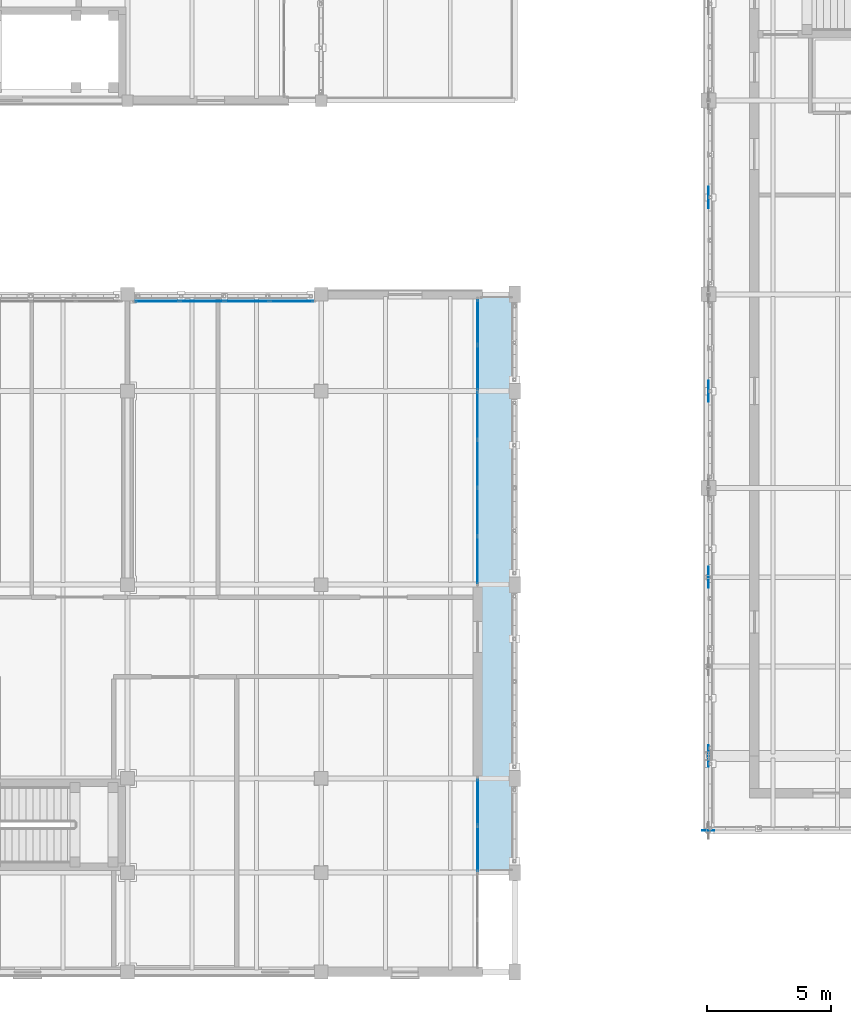
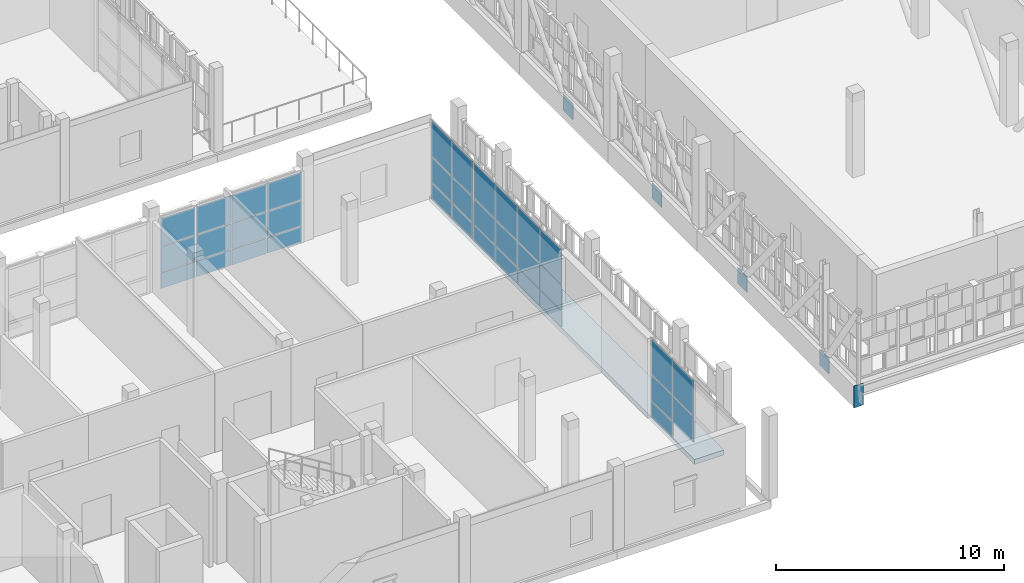
# One storey, part 67 of 119: 40 plates, 1 slab, 4 elements without a shape of their own.
"""IFC4 building model written with IfcOpenShell, lengths in metres."""

import ifcopenshell
import ifcopenshell.guid

model = None  # the IFC model being written
_history = None  # IfcOwnerHistory: only IFC2X3 demands one
_inside = {}  # id of a spatial element -> (the spatial element, [elements in it])
_under = {}  # id of a project, library or spatial element -> (it, [spatial elements below it])
_declared = {}  # id of a project -> (the project, [libraries it declares])
_typed = {}  # id of a type object -> (the type object, [elements of that type])
_made_of = {}  # id of a material, layer set ... -> (it, [elements and type objects made of it])


def new_model(schema):
    """Start an empty IFC model of exactly this schema.

    Asked for "IFC4X3", IfcOpenShell would pick the latest addendum, in which some entities
    have other attributes; the version numbers below select the first issue.
    IFC2X3 requires an IfcOwnerHistory on every rooted entity: one is made here for all.
    """
    global model, _history
    if schema == "IFC4X3":
        model = ifcopenshell.file(schema_version=(4, 3, 0, 0))
    else:
        model = ifcopenshell.file(schema=schema)
    _inside.clear()
    _under.clear()
    _declared.clear()
    _typed.clear()
    _made_of.clear()
    _history = None
    if model.schema == "IFC2X3":
        org = make("IfcOrganization", Name="unknown")
        user = make(
            "IfcPersonAndOrganization",
            ThePerson=make("IfcPerson", FamilyName="unknown"),
            TheOrganization=org,
        )
        app = make(
            "IfcApplication",
            ApplicationDeveloper=org,
            Version="unknown",
            ApplicationFullName="unknown",
            ApplicationIdentifier="unknown",
        )
        _history = make(
            "IfcOwnerHistory",
            OwningUser=user,
            OwningApplication=app,
            ChangeAction="ADDED",
            CreationDate=0,
        )
    return model


def make(cls, **values):
    """One entity of the class cls with the attributes given. An attribute that is None is left unset."""
    return model.create_entity(
        cls, **{name: value for name, value in values.items() if value is not None}
    )


def rooted(cls, **values):
    """An entity with a GlobalId (a new one), such as an element, a storey or a relation."""
    return make(cls, GlobalId=ifcopenshell.guid.new(), OwnerHistory=_history, **values)


def si_unit(unit_type, name, prefix=None):
    """IfcSIUnit, for example si_unit("LENGTHUNIT", "METRE", prefix="MILLI")."""
    return make("IfcSIUnit", UnitType=unit_type, Prefix=prefix, Name=name)


def assignment(units):
    """IfcUnitAssignment: the units of a project."""
    return None if units is None else make("IfcUnitAssignment", Units=units)


def point(xyz):
    """IfcCartesianPoint."""
    return None if xyz is None else make("IfcCartesianPoint", Coordinates=xyz)


def direction(xyz):
    """IfcDirection."""
    return None if xyz is None else make("IfcDirection", DirectionRatios=xyz)


def frame(location, z_axis=None, x_axis=None):
    """IfcAxis2Placement3D, a coordinate frame: its origin and axes. An axis left out is left unset."""
    return make(
        "IfcAxis2Placement3D",
        Location=point(location),
        Axis=direction(z_axis),
        RefDirection=direction(x_axis),
    )


def frame_2d(location, x_axis=None):
    """IfcAxis2Placement2D, a coordinate frame in the plane: its origin and x axis."""
    return make(
        "IfcAxis2Placement2D", Location=point(location), RefDirection=direction(x_axis)
    )


def origin():
    """The frame at (0, 0, 0) with its axes left unset."""
    return frame((0.0, 0.0, 0.0))


def origin_2d():
    """The frame at (0, 0) in the plane with its x axis left unset."""
    return frame_2d((0.0, 0.0))


def place(relative_to, where):
    """IfcLocalPlacement: puts the frame where relative to a parent placement (None: the world)."""
    return make(
        "IfcLocalPlacement", PlacementRelTo=relative_to, RelativePlacement=where
    )


def context(
    kind, dimensions, precision=None, world=None, true_north=None, identifier=None
):
    """IfcGeometricRepresentationContext, for example the 3D "Model" context."""
    return make(
        "IfcGeometricRepresentationContext",
        ContextIdentifier=identifier,
        ContextType=kind,
        CoordinateSpaceDimension=dimensions,
        Precision=precision,
        WorldCoordinateSystem=world,
        TrueNorth=true_north,
    )


def subcontext(parent, identifier, kind, view, scale=None):
    """IfcGeometricRepresentationSubContext, for example "Body" below "Model"."""
    return make(
        "IfcGeometricRepresentationSubContext",
        ContextIdentifier=identifier,
        ContextType=kind,
        ParentContext=parent,
        TargetScale=scale,
        TargetView=view,
    )


def project(units=None, contexts=None):
    """IfcProject with its units and contexts."""
    return rooted(
        "IfcProject",
        Name="project",
        RepresentationContexts=contexts,
        UnitsInContext=assignment(units),
    )


def spatial(cls, under=None, at=None, **own):
    """A site, building, storey or space (cls), placed at a placement, below another one or the project."""
    s = rooted(cls, ObjectPlacement=at, **own)
    if under is not None:
        _under.setdefault(under.id(), (under, []))[1].append(s)
    return s


def polyline(points):
    """IfcPolyline through the points."""
    return make("IfcPolyline", Points=[point(p) for p in points])


def profile(cls, at=None, kind="AREA", **sizes):
    """A parametric profile (cls). Its sizes go by their IFC names, for example OverallWidth=200.0."""
    return make(cls, ProfileType=kind, Position=at, **sizes)


def rectangle(**sizes):
    """IfcRectangleProfileDef."""
    return profile("IfcRectangleProfileDef", **sizes)


def outline(outer, holes=None, kind="AREA"):
    """IfcArbitraryClosedProfileDef: a profile drawn as a closed curve; with holes, ...WithVoids."""
    if holes is None:
        return make("IfcArbitraryClosedProfileDef", ProfileType=kind, OuterCurve=outer)
    return make(
        "IfcArbitraryProfileDefWithVoids",
        ProfileType=kind,
        OuterCurve=outer,
        InnerCurves=holes,
    )


def extrude(swept, where, along, depth):
    """IfcExtrudedAreaSolid: the profile swept, set in the frame where, extruded along a direction by depth."""
    return make(
        "IfcExtrudedAreaSolid",
        SweptArea=swept,
        Position=where,
        ExtrudedDirection=direction(along),
        Depth=depth,
    )


def shape(context_of_items, identifier, shape_type, items):
    """IfcShapeRepresentation: the items that make up one representation, for example the "Body"."""
    return make(
        "IfcShapeRepresentation",
        ContextOfItems=context_of_items,
        RepresentationIdentifier=identifier,
        RepresentationType=shape_type,
        Items=items,
    )


def material(Name=None, Category=None):
    """IfcMaterial."""
    return make("IfcMaterial", Name=Name, Category=Category)


def layer(
    of_material, thickness, ventilated=None, Name=None, Category=None, Priority=None
):
    """IfcMaterialLayer: one layer of a wall or slab, of a material (None: an air gap)."""
    return make(
        "IfcMaterialLayer",
        Material=of_material,
        LayerThickness=thickness,
        IsVentilated=ventilated,
        Name=Name,
        Category=Category,
        Priority=Priority,
    )


def layer_set(layers, Name=None):
    """IfcMaterialLayerSet."""
    return make("IfcMaterialLayerSet", MaterialLayers=layers, LayerSetName=Name)


def made_of(thing, what):
    """Note that an element or type object is made of a material, layer set ...; save() writes the relation."""
    if what is not None:
        _made_of.setdefault(what.id(), (what, []))[1].append(thing)
    return thing


def type_object(cls, material=None, **own):
    """A type object (cls), such as IfcWallType, which elements share."""
    return made_of(rooted(cls, **own), material)


def element(
    cls,
    number,
    at=None,
    inside=None,
    cuts=None,
    type_object=None,
    material=None,
    context=None,
    identifier="Body",
    shape_type=None,
    held_by="IfcProductDefinitionShape",
    body=None,
    shapes=None,
    **own,
):
    """One element of the class cls, such as IfcWall. Its Tag is "e" and its number.

    at: its placement. inside: the storey or other place that contains it. cuts: it is an
    opening in that element (IfcRelVoidsElement). A single representation is given by context,
    identifier, shape_type and body (its items); several are given by shapes. held_by: the class
    of the entity that holds the representations. save() writes the other relations.
    """
    e = rooted(cls, Tag="e%d" % number, ObjectPlacement=at, **own)
    if body is not None:
        shapes = [shape(context, identifier, shape_type, body)]
    if shapes is not None:
        e.Representation = make(held_by, Representations=shapes)
    if inside is not None:
        _inside.setdefault(inside.id(), (inside, []))[1].append(e)
    if cuts is not None:
        rooted(
            "IfcRelVoidsElement", RelatingBuildingElement=cuts, RelatedOpeningElement=e
        )
    if type_object is not None:
        _typed.setdefault(type_object.id(), (type_object, []))[1].append(e)
    return made_of(e, material)


def aggregate(whole, parts):
    """IfcRelAggregates: a whole, such as a stair, and the parts it consists of."""
    return rooted("IfcRelAggregates", RelatingObject=whole, RelatedObjects=parts)


def save(model, path):
    """Write the relations noted so far, then the file.

    IfcRelAggregates (storeys below a building ...), IfcRelContainedInSpatialStructure (elements
    in a storey), IfcRelDefinesByType, IfcRelAssociatesMaterial and IfcRelDeclares: one each for
    every whole, place, type object, material and project.
    """
    for whole, parts in _under.values():
        aggregate(whole, parts)
    for where, things in _inside.values():
        rooted(
            "IfcRelContainedInSpatialStructure",
            RelatedElements=things,
            RelatingStructure=where,
        )
    for kind, things in _typed.values():
        rooted("IfcRelDefinesByType", RelatedObjects=things, RelatingType=kind)
    for what, things in _made_of.values():
        rooted("IfcRelAssociatesMaterial", RelatedObjects=things, RelatingMaterial=what)
    for by, libraries in _declared.values():
        rooted("IfcRelDeclares", RelatingContext=by, RelatedDefinitions=libraries)
    model.write(path)


model = new_model("IFC4")

# Units and contexts
model_context = context("Model", 3, precision=1e-05, world=origin(), true_north=direction((0.0, 1.0)))
body_context = subcontext(model_context, "Body", "Model", "MODEL_VIEW")
ifc_project = project(units=[si_unit("LENGTHUNIT", "METRE"), si_unit("AREAUNIT", "SQUARE_METRE"), si_unit("VOLUMEUNIT", "CUBIC_METRE"), si_unit("PLANEANGLEUNIT", "RADIAN"), si_unit("MASSUNIT", "GRAM", prefix="KILO")], contexts=[model_context])

# Site, building, storey
site_placement = place(None, origin())
site = spatial("IfcSite", under=ifc_project, at=site_placement, CompositionType="ELEMENT")
building_placement = place(site_placement, origin())
building = spatial("IfcBuilding", under=site, at=building_placement, Name="Celorna Specialist Clinic", CompositionType="ELEMENT")
storey_placement = place(building_placement, frame((0.0, 0.0, 9.60009765625)))
storey = spatial("IfcBuildingStorey", under=building, at=storey_placement, Name="L02", CompositionType="ELEMENT", Elevation=9.60009765625)

# Curtain wall, plates
ifc_material_1 = material(Name="Thermally broken aluminium and solar-control glass curtain wall", Category="aluminium")
ifc_layer_1 = layer(ifc_material_1, 0.159912109375, Name="Thermally broken aluminium and solar-control glass curtain wall")
ifc_layer_set_1 = layer_set([ifc_layer_1], Name="Thermally broken aluminium and solar-control glass curtain wall")
curtain_wall_type_1 = type_object("IfcCurtainWallType", Name="CW-68", PredefinedType="NOTDEFINED", material=ifc_layer_set_1)
curtain_wall_1_placement = place(storey_placement, origin())
curtain_wall_1 = element("IfcCurtainWall", 1, at=curtain_wall_1_placement, inside=storey, type_object=curtain_wall_type_1, Name="Curtain wall CW-68 #168", PredefinedType="NOTDEFINED")
ifc_material_2 = material(Name="Low-e double glazing", Category="glass")
ifc_layer_2 = layer(ifc_material_2, 0.028076171875, Name="Low-e double glazing")
ifc_layer_set_2 = layer_set([ifc_layer_2], Name="Low-e double glazing")
plate_type_1 = type_object("IfcPlateType", Name="CPN-01", PredefinedType="CURTAIN_PANEL", material=ifc_layer_set_2)
plate_1_placement = place(storey_placement, frame((45.300048828125, 22.409423828125, 0.0498046875), z_axis=(0.0, 0.0, 1.0), x_axis=(0.0, -1.0, 0.0)))
plate_1 = element("IfcPlate", 2, at=plate_1_placement, type_object=plate_type_1, Name="CW-68 panel 1.1", PredefinedType="CURTAIN_PANEL", context=body_context, shape_type="SweptSolid", body=[
    extrude(rectangle(XDim=1.873046875, YDim=0.028076171875, at=origin_2d()), origin(), (0.0, 0.0, 1.0), 0.824951171875),
])
plate_2_placement = place(storey_placement, frame((45.300048828125, 22.409423828125, 0.9248046875), z_axis=(0.0, 0.0, 1.0), x_axis=(0.0, -1.0, 0.0)))
plate_2 = element("IfcPlate", 3, at=plate_2_placement, type_object=plate_type_1, Name="CW-68 panel 1.2", PredefinedType="CURTAIN_PANEL", context=body_context, shape_type="SweptSolid", body=[
    extrude(rectangle(XDim=1.873046875, YDim=0.028076171875, at=origin_2d()), origin(), (0.0, 0.0, 1.0), 1.35009765625),
])
plate_3_placement = place(storey_placement, frame((45.300048828125, 22.409423828125, 2.32470703125), z_axis=(0.0, 0.0, 1.0), x_axis=(0.0, -1.0, 0.0)))
plate_3 = element("IfcPlate", 4, at=plate_3_placement, type_object=plate_type_1, Name="CW-68 panel 1.3", PredefinedType="CURTAIN_PANEL", context=body_context, shape_type="SweptSolid", body=[
    extrude(rectangle(XDim=1.873046875, YDim=0.028076171875, at=origin_2d()), origin(), (0.0, 0.0, 1.0), 1.864990234375),
])
plate_4_placement = place(storey_placement, frame((45.300048828125, 20.47412109375, 0.0498046875), z_axis=(0.0, 0.0, 1.0), x_axis=(0.0, -1.0, 0.0)))
plate_4 = element("IfcPlate", 5, at=plate_4_placement, type_object=plate_type_1, Name="CW-68 panel 2.1", PredefinedType="CURTAIN_PANEL", context=body_context, shape_type="SweptSolid", body=[
    extrude(rectangle(XDim=1.89794921875, YDim=0.028076171875, at=origin_2d()), origin(), (0.0, 0.0, 1.0), 0.824951171875),
])
plate_5_placement = place(storey_placement, frame((45.300048828125, 20.47412109375, 0.9248046875), z_axis=(0.0, 0.0, 1.0), x_axis=(0.0, -1.0, 0.0)))
plate_5 = element("IfcPlate", 6, at=plate_5_placement, type_object=plate_type_1, Name="CW-68 panel 2.2", PredefinedType="CURTAIN_PANEL", context=body_context, shape_type="SweptSolid", body=[
    extrude(rectangle(XDim=1.89794921875, YDim=0.028076171875, at=origin_2d()), origin(), (0.0, 0.0, 1.0), 1.35009765625),
])
plate_6_placement = place(storey_placement, frame((45.300048828125, 20.47412109375, 2.32470703125), z_axis=(0.0, 0.0, 1.0), x_axis=(0.0, -1.0, 0.0)))
plate_6 = element("IfcPlate", 7, at=plate_6_placement, type_object=plate_type_1, Name="CW-68 panel 2.3", PredefinedType="CURTAIN_PANEL", context=body_context, shape_type="SweptSolid", body=[
    extrude(rectangle(XDim=1.89794921875, YDim=0.028076171875, at=origin_2d()), origin(), (0.0, 0.0, 1.0), 1.864990234375),
])
plate_7_placement = place(storey_placement, frame((45.300048828125, 18.52587890625, 0.0498046875), z_axis=(0.0, 0.0, 1.0), x_axis=(0.0, -1.0, 0.0)))
plate_7 = element("IfcPlate", 8, at=plate_7_placement, type_object=plate_type_1, Name="CW-68 panel 3.1", PredefinedType="CURTAIN_PANEL", context=body_context, shape_type="SweptSolid", body=[
    extrude(rectangle(XDim=1.89794921875, YDim=0.028076171875, at=origin_2d()), origin(), (0.0, 0.0, 1.0), 0.824951171875),
])
plate_8_placement = place(storey_placement, frame((45.300048828125, 18.52587890625, 0.9248046875), z_axis=(0.0, 0.0, 1.0), x_axis=(0.0, -1.0, 0.0)))
plate_8 = element("IfcPlate", 9, at=plate_8_placement, type_object=plate_type_1, Name="CW-68 panel 3.2", PredefinedType="CURTAIN_PANEL", context=body_context, shape_type="SweptSolid", body=[
    extrude(rectangle(XDim=1.89794921875, YDim=0.028076171875, at=origin_2d()), origin(), (0.0, 0.0, 1.0), 1.35009765625),
])
plate_9_placement = place(storey_placement, frame((45.300048828125, 18.52587890625, 2.32470703125), z_axis=(0.0, 0.0, 1.0), x_axis=(0.0, -1.0, 0.0)))
plate_9 = element("IfcPlate", 10, at=plate_9_placement, type_object=plate_type_1, Name="CW-68 panel 3.3", PredefinedType="CURTAIN_PANEL", context=body_context, shape_type="SweptSolid", body=[
    extrude(rectangle(XDim=1.89794921875, YDim=0.028076171875, at=origin_2d()), origin(), (0.0, 0.0, 1.0), 1.864990234375),
])
plate_10_placement = place(storey_placement, frame((45.300048828125, 16.590576171875, 0.0498046875), z_axis=(0.0, 0.0, 1.0), x_axis=(0.0, -1.0, 0.0)))
plate_10 = element("IfcPlate", 11, at=plate_10_placement, type_object=plate_type_1, Name="CW-68 panel 4.1", PredefinedType="CURTAIN_PANEL", context=body_context, shape_type="SweptSolid", body=[
    extrude(rectangle(XDim=1.873046875, YDim=0.028076171875, at=origin_2d()), origin(), (0.0, 0.0, 1.0), 0.824951171875),
])
plate_11_placement = place(storey_placement, frame((45.300048828125, 16.590576171875, 0.9248046875), z_axis=(0.0, 0.0, 1.0), x_axis=(0.0, -1.0, 0.0)))
plate_11 = element("IfcPlate", 12, at=plate_11_placement, type_object=plate_type_1, Name="CW-68 panel 4.2", PredefinedType="CURTAIN_PANEL", context=body_context, shape_type="SweptSolid", body=[
    extrude(rectangle(XDim=1.873046875, YDim=0.028076171875, at=origin_2d()), origin(), (0.0, 0.0, 1.0), 1.35009765625),
])
plate_12_placement = place(storey_placement, frame((45.300048828125, 16.590576171875, 2.32470703125), z_axis=(0.0, 0.0, 1.0), x_axis=(0.0, -1.0, 0.0)))
plate_12 = element("IfcPlate", 13, at=plate_12_placement, type_object=plate_type_1, Name="CW-68 panel 4.3", PredefinedType="CURTAIN_PANEL", context=body_context, shape_type="SweptSolid", body=[
    extrude(rectangle(XDim=1.873046875, YDim=0.028076171875, at=origin_2d()), origin(), (0.0, 0.0, 1.0), 1.864990234375),
])
aggregate(curtain_wall_1, [plate_1, plate_2, plate_3, plate_4, plate_5, plate_6, plate_7, plate_8, plate_9, plate_10, plate_11, plate_12])

ifc_layer_3 = layer(ifc_material_1, 0.159912109375, Name="Thermally broken aluminium and solar-control glass curtain wall")
ifc_layer_set_3 = layer_set([ifc_layer_3], Name="Thermally broken aluminium and solar-control glass curtain wall")
curtain_wall_type_2 = type_object("IfcCurtainWallType", Name="CW-88", PredefinedType="NOTDEFINED", material=ifc_layer_set_3)
curtain_wall_2_placement = place(storey_placement, origin())
curtain_wall_2 = element("IfcCurtainWall", 14, at=curtain_wall_2_placement, inside=storey, type_object=curtain_wall_type_2, Name="Curtain wall CW-88 #165", PredefinedType="NOTDEFINED")
ifc_material_3 = material(Name="Solar-control triple glazing", Category="glass")
ifc_layer_4 = layer(ifc_material_3, 0.035888671875, Name="Solar-control triple glazing")
ifc_layer_set_4 = layer_set([ifc_layer_4], Name="Solar-control triple glazing")
plate_type_2 = type_object("IfcPlateType", Name="CPN-02", PredefinedType="CURTAIN_PANEL", material=ifc_layer_set_4)
plate_13_placement = place(storey_placement, frame((32.396728515625, 27.02001953125, 0.0498046875), z_axis=(0.0, 0.0, 1.0), x_axis=(1.0, 0.0, 0.0)))
plate_13 = element("IfcPlate", 15, at=plate_13_placement, type_object=plate_type_2, Name="CW-88 panel 1.1", PredefinedType="CURTAIN_PANEL", context=body_context, shape_type="SweptSolid", body=[
    extrude(rectangle(XDim=1.735595703125, YDim=0.035888671875, at=origin_2d()), origin(), (0.0, 0.0, 1.0), 0.824951171875),
])
plate_14_placement = place(storey_placement, frame((32.396728515625, 27.02001953125, 0.9248046875), z_axis=(0.0, 0.0, 1.0), x_axis=(1.0, 0.0, 0.0)))
plate_14 = element("IfcPlate", 16, at=plate_14_placement, type_object=plate_type_2, Name="CW-88 panel 1.2", PredefinedType="CURTAIN_PANEL", context=body_context, shape_type="SweptSolid", body=[
    extrude(rectangle(XDim=1.735595703125, YDim=0.035888671875, at=origin_2d()), origin(), (0.0, 0.0, 1.0), 1.35009765625),
])
plate_15_placement = place(storey_placement, frame((32.396728515625, 27.02001953125, 2.32470703125), z_axis=(0.0, 0.0, 1.0), x_axis=(1.0, 0.0, 0.0)))
plate_15 = element("IfcPlate", 17, at=plate_15_placement, type_object=plate_type_2, Name="CW-88 panel 1.3", PredefinedType="CURTAIN_PANEL", context=body_context, shape_type="SweptSolid", body=[
    extrude(rectangle(XDim=1.735595703125, YDim=0.035888671875, at=origin_2d()), origin(), (0.0, 0.0, 1.0), 1.465087890625),
])
plate_16_placement = place(storey_placement, frame((34.19482421875, 27.02001953125, 0.0498046875), z_axis=(0.0, 0.0, 1.0), x_axis=(1.0, 0.0, 0.0)))
plate_16 = element("IfcPlate", 18, at=plate_16_placement, type_object=plate_type_2, Name="CW-88 panel 2.1", PredefinedType="CURTAIN_PANEL", context=body_context, shape_type="SweptSolid", body=[
    extrude(rectangle(XDim=1.760498046875, YDim=0.035888671875, at=origin_2d()), origin(), (0.0, 0.0, 1.0), 0.824951171875),
])
plate_17_placement = place(storey_placement, frame((34.19482421875, 27.02001953125, 0.9248046875), z_axis=(0.0, 0.0, 1.0), x_axis=(1.0, 0.0, 0.0)))
plate_17 = element("IfcPlate", 19, at=plate_17_placement, type_object=plate_type_2, Name="CW-88 panel 2.2", PredefinedType="CURTAIN_PANEL", context=body_context, shape_type="SweptSolid", body=[
    extrude(rectangle(XDim=1.760498046875, YDim=0.035888671875, at=origin_2d()), origin(), (0.0, 0.0, 1.0), 1.35009765625),
])
plate_18_placement = place(storey_placement, frame((34.19482421875, 27.02001953125, 2.32470703125), z_axis=(0.0, 0.0, 1.0), x_axis=(1.0, 0.0, 0.0)))
plate_18 = element("IfcPlate", 20, at=plate_18_placement, type_object=plate_type_2, Name="CW-88 panel 2.3", PredefinedType="CURTAIN_PANEL", context=body_context, shape_type="SweptSolid", body=[
    extrude(rectangle(XDim=1.760498046875, YDim=0.035888671875, at=origin_2d()), origin(), (0.0, 0.0, 1.0), 1.465087890625),
])
plate_19_placement = place(storey_placement, frame((36.00537109375, 27.02001953125, 0.0498046875), z_axis=(0.0, 0.0, 1.0), x_axis=(1.0, 0.0, 0.0)))
plate_19 = element("IfcPlate", 21, at=plate_19_placement, type_object=plate_type_2, Name="CW-88 panel 3.1", PredefinedType="CURTAIN_PANEL", context=body_context, shape_type="SweptSolid", body=[
    extrude(rectangle(XDim=1.760498046875, YDim=0.035888671875, at=origin_2d()), origin(), (0.0, 0.0, 1.0), 0.824951171875),
])
plate_20_placement = place(storey_placement, frame((36.00537109375, 27.02001953125, 0.9248046875), z_axis=(0.0, 0.0, 1.0), x_axis=(1.0, 0.0, 0.0)))
plate_20 = element("IfcPlate", 22, at=plate_20_placement, type_object=plate_type_2, Name="CW-88 panel 3.2", PredefinedType="CURTAIN_PANEL", context=body_context, shape_type="SweptSolid", body=[
    extrude(rectangle(XDim=1.760498046875, YDim=0.035888671875, at=origin_2d()), origin(), (0.0, 0.0, 1.0), 1.35009765625),
])
plate_21_placement = place(storey_placement, frame((36.00537109375, 27.02001953125, 2.32470703125), z_axis=(0.0, 0.0, 1.0), x_axis=(1.0, 0.0, 0.0)))
plate_21 = element("IfcPlate", 23, at=plate_21_placement, type_object=plate_type_2, Name="CW-88 panel 3.3", PredefinedType="CURTAIN_PANEL", context=body_context, shape_type="SweptSolid", body=[
    extrude(rectangle(XDim=1.760498046875, YDim=0.035888671875, at=origin_2d()), origin(), (0.0, 0.0, 1.0), 1.465087890625),
])
plate_22_placement = place(storey_placement, frame((37.80322265625, 27.02001953125, 0.0498046875), z_axis=(0.0, 0.0, 1.0), x_axis=(1.0, 0.0, 0.0)))
plate_22 = element("IfcPlate", 24, at=plate_22_placement, type_object=plate_type_2, Name="CW-88 panel 4.1", PredefinedType="CURTAIN_PANEL", context=body_context, shape_type="SweptSolid", body=[
    extrude(rectangle(XDim=1.735595703125, YDim=0.035888671875, at=origin_2d()), origin(), (0.0, 0.0, 1.0), 0.824951171875),
])
plate_23_placement = place(storey_placement, frame((37.80322265625, 27.02001953125, 0.9248046875), z_axis=(0.0, 0.0, 1.0), x_axis=(1.0, 0.0, 0.0)))
plate_23 = element("IfcPlate", 25, at=plate_23_placement, type_object=plate_type_2, Name="CW-88 panel 4.2", PredefinedType="CURTAIN_PANEL", context=body_context, shape_type="SweptSolid", body=[
    extrude(rectangle(XDim=1.735595703125, YDim=0.035888671875, at=origin_2d()), origin(), (0.0, 0.0, 1.0), 1.35009765625),
])
plate_24_placement = place(storey_placement, frame((37.80322265625, 27.02001953125, 2.32470703125), z_axis=(0.0, 0.0, 1.0), x_axis=(1.0, 0.0, 0.0)))
plate_24 = element("IfcPlate", 26, at=plate_24_placement, type_object=plate_type_2, Name="CW-88 panel 4.3", PredefinedType="CURTAIN_PANEL", context=body_context, shape_type="SweptSolid", body=[
    extrude(rectangle(XDim=1.735595703125, YDim=0.035888671875, at=origin_2d()), origin(), (0.0, 0.0, 1.0), 1.465087890625),
])
aggregate(curtain_wall_2, [plate_13, plate_14, plate_15, plate_16, plate_17, plate_18, plate_19, plate_20, plate_21, plate_22, plate_23, plate_24])

ifc_layer_5 = layer(ifc_material_1, 0.159912109375, Name="Thermally broken aluminium and solar-control glass curtain wall")
ifc_layer_set_5 = layer_set([ifc_layer_5], Name="Thermally broken aluminium and solar-control glass curtain wall")
curtain_wall_type_3 = type_object("IfcCurtainWallType", Name="CW-92", PredefinedType="NOTDEFINED", material=ifc_layer_set_5)
curtain_wall_3_placement = place(storey_placement, origin())
curtain_wall_3 = element("IfcCurtainWall", 27, at=curtain_wall_3_placement, inside=storey, type_object=curtain_wall_type_3, Name="Curtain wall CW-92 #167", PredefinedType="NOTDEFINED")
plate_25_placement = place(storey_placement, frame((45.300048828125, 6.83544921875, 0.0498046875), z_axis=(0.0, 0.0, 1.0), x_axis=(0.0, -1.0, 0.0)))
plate_25 = element("IfcPlate", 28, at=plate_25_placement, type_object=plate_type_2, Name="CW-92 panel 1.1", PredefinedType="CURTAIN_PANEL", context=body_context, shape_type="SweptSolid", body=[
    extrude(rectangle(XDim=1.821044921875, YDim=0.035888671875, at=origin_2d()), origin(), (0.0, 0.0, 1.0), 0.824951171875),
])
plate_26_placement = place(storey_placement, frame((45.300048828125, 6.83544921875, 0.9248046875), z_axis=(0.0, 0.0, 1.0), x_axis=(0.0, -1.0, 0.0)))
plate_26 = element("IfcPlate", 29, at=plate_26_placement, type_object=plate_type_2, Name="CW-92 panel 1.2", PredefinedType="CURTAIN_PANEL", context=body_context, shape_type="SweptSolid", body=[
    extrude(rectangle(XDim=1.821044921875, YDim=0.035888671875, at=origin_2d()), origin(), (0.0, 0.0, 1.0), 1.35009765625),
])
plate_27_placement = place(storey_placement, frame((45.300048828125, 6.83544921875, 2.32470703125), z_axis=(0.0, 0.0, 1.0), x_axis=(0.0, -1.0, 0.0)))
plate_27 = element("IfcPlate", 30, at=plate_27_placement, type_object=plate_type_2, Name="CW-92 panel 1.3", PredefinedType="CURTAIN_PANEL", context=body_context, shape_type="SweptSolid", body=[
    extrude(rectangle(XDim=1.821044921875, YDim=0.035888671875, at=origin_2d()), origin(), (0.0, 0.0, 1.0), 1.864990234375),
])
plate_28_placement = place(storey_placement, frame((45.300048828125, 4.964599609375, 0.9248046875), z_axis=(0.0, 0.0, 1.0), x_axis=(0.0, -1.0, 0.0)))
plate_28 = element("IfcPlate", 31, at=plate_28_placement, type_object=plate_type_2, Name="CW-92 panel 2.2", PredefinedType="CURTAIN_PANEL", context=body_context, shape_type="SweptSolid", body=[
    extrude(rectangle(XDim=1.821044921875, YDim=0.035888671875, at=origin_2d()), origin(), (0.0, 0.0, 1.0), 1.35009765625),
])
plate_29_placement = place(storey_placement, frame((45.300048828125, 4.964599609375, 2.32470703125), z_axis=(0.0, 0.0, 1.0), x_axis=(0.0, -1.0, 0.0)))
plate_29 = element("IfcPlate", 32, at=plate_29_placement, type_object=plate_type_2, Name="CW-92 panel 2.3", PredefinedType="CURTAIN_PANEL", context=body_context, shape_type="SweptSolid", body=[
    extrude(rectangle(XDim=1.821044921875, YDim=0.035888671875, at=origin_2d()), origin(), (0.0, 0.0, 1.0), 1.864990234375),
])
aggregate(curtain_wall_3, [plate_25, plate_26, plate_27, plate_28, plate_29])

ifc_layer_6 = layer(ifc_material_1, 0.159912109375, Name="Thermally broken aluminium and solar-control glass curtain wall")
ifc_layer_set_6 = layer_set([ifc_layer_6], Name="Thermally broken aluminium and solar-control glass curtain wall")
curtain_wall_type_4 = type_object("IfcCurtainWallType", Name="CW-93", PredefinedType="NOTDEFINED", material=ifc_layer_set_6)
curtain_wall_4_placement = place(storey_placement, origin())
curtain_wall_4 = element("IfcCurtainWall", 33, at=curtain_wall_4_placement, inside=storey, type_object=curtain_wall_type_4, Name="Curtain wall CW-93 #169", PredefinedType="NOTDEFINED")
plate_30_placement = place(storey_placement, frame((45.300048828125, 26.16796875, 0.0498046875), z_axis=(0.0, 0.0, 1.0), x_axis=(0.0, -1.0, 0.0)))
plate_30 = element("IfcPlate", 34, at=plate_30_placement, type_object=plate_type_2, Name="CW-93 panel 1.1", PredefinedType="CURTAIN_PANEL", context=body_context, shape_type="SweptSolid", body=[
    extrude(rectangle(XDim=1.77587890625, YDim=0.035888671875, at=origin_2d()), origin(), (0.0, 0.0, 1.0), 0.824951171875),
])
plate_31_placement = place(storey_placement, frame((45.300048828125, 26.16796875, 0.9248046875), z_axis=(0.0, 0.0, 1.0), x_axis=(0.0, -1.0, 0.0)))
plate_31 = element("IfcPlate", 35, at=plate_31_placement, type_object=plate_type_2, Name="CW-93 panel 1.2", PredefinedType="CURTAIN_PANEL", context=body_context, shape_type="SweptSolid", body=[
    extrude(rectangle(XDim=1.77587890625, YDim=0.035888671875, at=origin_2d()), origin(), (0.0, 0.0, 1.0), 1.35009765625),
])
plate_32_placement = place(storey_placement, frame((45.300048828125, 26.16796875, 2.32470703125), z_axis=(0.0, 0.0, 1.0), x_axis=(0.0, -1.0, 0.0)))
plate_32 = element("IfcPlate", 36, at=plate_32_placement, type_object=plate_type_2, Name="CW-93 panel 1.3", PredefinedType="CURTAIN_PANEL", context=body_context, shape_type="SweptSolid", body=[
    extrude(rectangle(XDim=1.77587890625, YDim=0.035888671875, at=origin_2d()), origin(), (0.0, 0.0, 1.0), 1.864990234375),
])
plate_33_placement = place(storey_placement, frame((45.300048828125, 24.342041015625, 0.0498046875), z_axis=(0.0, 0.0, 1.0), x_axis=(0.0, -1.0, 0.0)))
plate_33 = element("IfcPlate", 37, at=plate_33_placement, type_object=plate_type_2, Name="CW-93 panel 2.1", PredefinedType="CURTAIN_PANEL", context=body_context, shape_type="SweptSolid", body=[
    extrude(rectangle(XDim=1.77587890625, YDim=0.035888671875, at=origin_2d()), origin(), (0.0, 0.0, 1.0), 0.824951171875),
])
plate_34_placement = place(storey_placement, frame((45.300048828125, 24.342041015625, 0.9248046875), z_axis=(0.0, 0.0, 1.0), x_axis=(0.0, -1.0, 0.0)))
plate_34 = element("IfcPlate", 38, at=plate_34_placement, type_object=plate_type_2, Name="CW-93 panel 2.2", PredefinedType="CURTAIN_PANEL", context=body_context, shape_type="SweptSolid", body=[
    extrude(rectangle(XDim=1.77587890625, YDim=0.035888671875, at=origin_2d()), origin(), (0.0, 0.0, 1.0), 1.35009765625),
])
plate_35_placement = place(storey_placement, frame((45.300048828125, 24.342041015625, 2.32470703125), z_axis=(0.0, 0.0, 1.0), x_axis=(0.0, -1.0, 0.0)))
plate_35 = element("IfcPlate", 39, at=plate_35_placement, type_object=plate_type_2, Name="CW-93 panel 2.3", PredefinedType="CURTAIN_PANEL", context=body_context, shape_type="SweptSolid", body=[
    extrude(rectangle(XDim=1.77587890625, YDim=0.035888671875, at=origin_2d()), origin(), (0.0, 0.0, 1.0), 1.864990234375),
])
aggregate(curtain_wall_4, [plate_30, plate_31, plate_32, plate_33, plate_34, plate_35])

# Plates
ifc_material_4 = material(Name="Steel S355", Category="steel")
ifc_layer_7 = layer(ifc_material_4, 0.02490234375, Name="Steel S355")
ifc_layer_set_7 = layer_set([ifc_layer_7], Name="Steel S355")
plate_type_3 = type_object("IfcPlateType", Name="EP-01", PredefinedType="SHEET", material=ifc_layer_set_7)
plate_36_placement = place(storey_placement, frame((54.60009765625, 5.699951171875, -1.42529296875), z_axis=(0.0, 0.0, 1.0), x_axis=(1.0, 0.0, 0.0)))
element("IfcPlate", 40, at=plate_36_placement, inside=storey, type_object=plate_type_3, Name="Truss chord end cap plate EP-01 #1", PredefinedType="SHEET", context=body_context, shape_type="SweptSolid", body=[
    extrude(rectangle(XDim=0.47998046875, YDim=0.02490234375, at=origin_2d()), origin(), (0.0, 0.0, 1.0), 1.179931640625),
])
ifc_layer_8 = layer(ifc_material_4, 0.028076171875, Name="Steel S355")
ifc_layer_set_8 = layer_set([ifc_layer_8], Name="Steel S355")
plate_type_4 = type_object("IfcPlateType", Name="GP-01", PredefinedType="USERDEFINED", material=ifc_layer_set_8)
for number, where, z_axis, x_axis, name in (
    (41, (54.60009765625, 8.699951171875, -1.26025390625), (0.0, 0.0, 1.0), (0.0, 1.0, 0.0), "Truss node gusset plate TN-008"),
    (42, (54.60009765625, 15.89990234375, -1.26025390625), (0.0, 0.0, 1.0), (0.0, 1.0, 0.0), "Truss node gusset plate TN-010"),
    (43, (54.60009765625, 23.39990234375, -1.26025390625), (0.0, 0.0, 1.0), (0.0, 1.0, 0.0), "Truss node gusset plate TN-012"),
    (44, (54.60009765625, 31.199951171875, -1.26025390625), (0.0, 0.0, 1.0), (0.0, 1.0, 0.0), "Truss node gusset plate TN-014"),
):
    element("IfcPlate", number, at=place(storey_placement, frame(where, z_axis=z_axis, x_axis=x_axis)), inside=storey, type_object=plate_type_4, Name=name, ObjectType="GUSSET PLATE", PredefinedType="USERDEFINED", context=body_context, shape_type="SweptSolid", body=[
        extrude(rectangle(XDim=0.85009765625, YDim=0.028076171875, at=origin_2d()), origin(), (0.0, 0.0, 1.0), 0.85009765625),
    ])

# Slab
ifc_material_5 = material(Name="Concrete C35/45", Category="concrete")
ifc_layer_9 = layer(ifc_material_5, 0.260009765625, Name="Concrete C35/45")
ifc_layer_set_9 = layer_set([ifc_layer_9], Name="Concrete C35/45")
slab_type = type_object("IfcSlabType", Name="SL-07", PredefinedType="FLOOR", material=ifc_layer_set_9)
slab_placement = place(storey_placement, frame((0.0, 0.0, -0.260009765625)))
element("IfcSlab", 45, at=slab_placement, inside=storey, type_object=slab_type, Name="Day Surgery Forecourt Veranda", PredefinedType="FLOOR", context=body_context, shape_type="SweptSolid", body=[
    extrude(outline(polyline([(45.300048828125, 4.0), (46.800048828125, 4.0), (46.800048828125, 27.300048828125), (45.300048828125, 27.300048828125), (45.300048828125, 4.0)])), origin(), (0.0, 0.0, 1.0), 0.260009765625),
])

save(model, "model.ifc")
